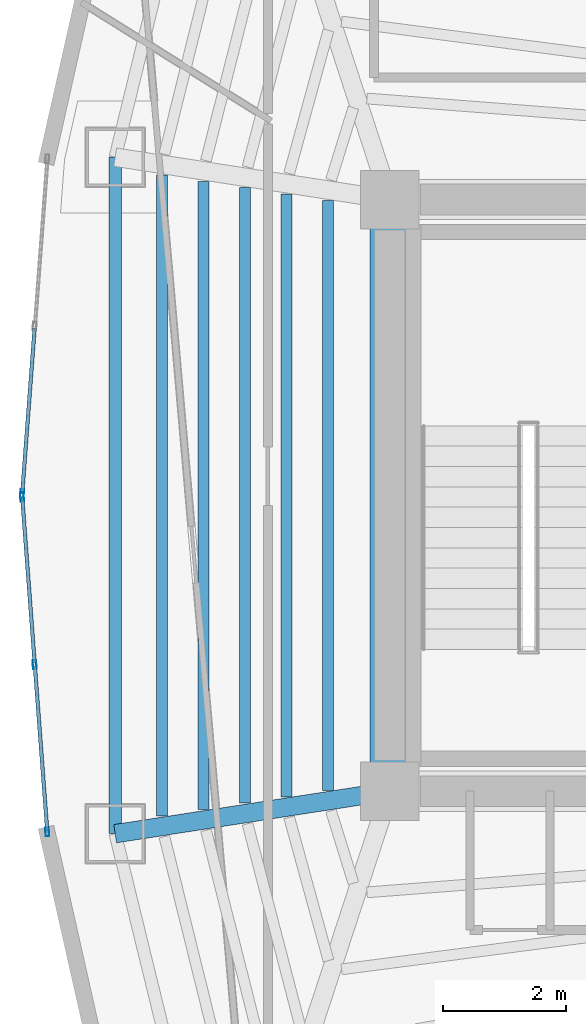
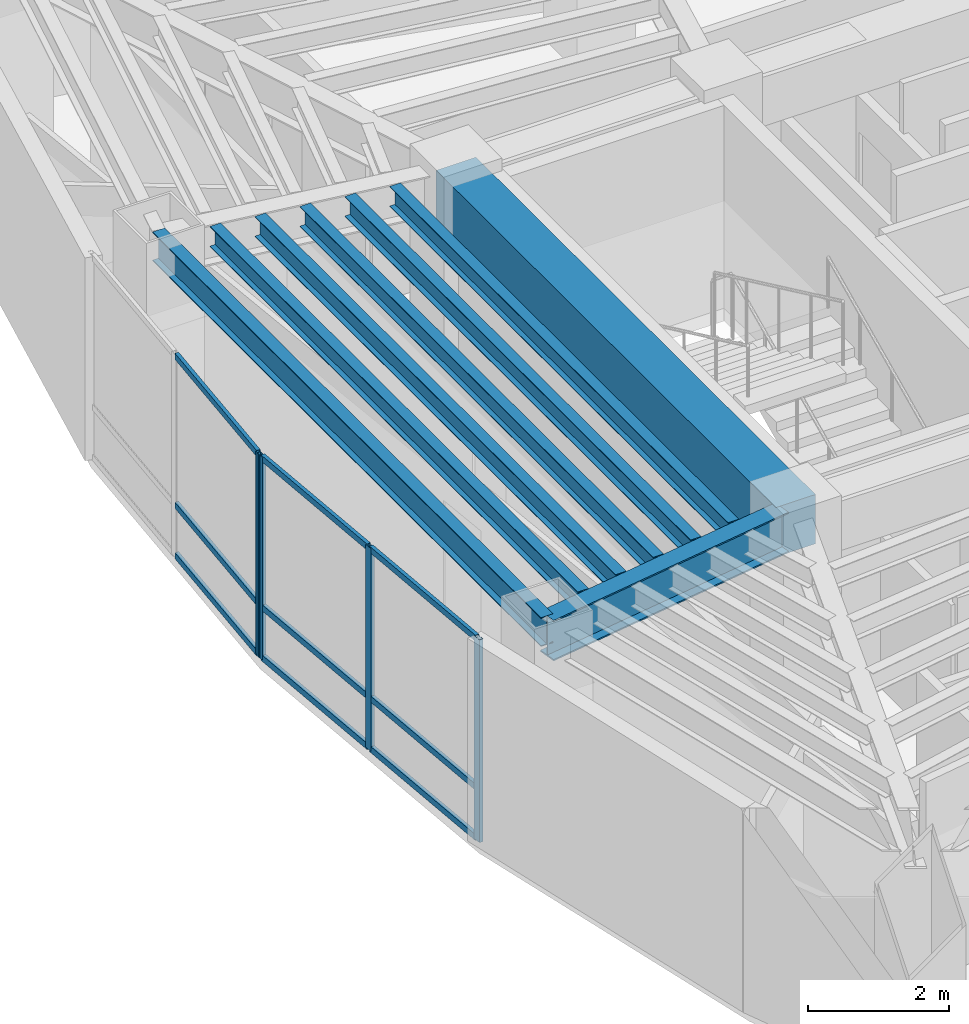
# One storey, part 3 of 16: 13 members, 8 beams, 2 elements without a shape of their own.
"""IFC4 building model written with IfcOpenShell, lengths in metres."""

from ifc_helpers import new_model, si_unit, direction, frame, origin, origin_2d, place, context, subcontext, project, spatial, rectangle, hollow_rectangle, i_section, extrude, material, layer, layer_set, material_profile, profile_set, type_object, element, aggregate, save


model = new_model("IFC4")

# Units and contexts
model_context = context("Model", 3, precision=1e-05, world=origin(), true_north=direction((0.0, 1.0)))
body_context = subcontext(model_context, "Body", "Model", "MODEL_VIEW")
ifc_project = project(units=[si_unit("LENGTHUNIT", "METRE"), si_unit("AREAUNIT", "SQUARE_METRE"), si_unit("VOLUMEUNIT", "CUBIC_METRE"), si_unit("PLANEANGLEUNIT", "RADIAN"), si_unit("MASSUNIT", "GRAM", prefix="KILO")], contexts=[model_context])

# Site, building, storey
site_placement = place(None, origin())
site = spatial("IfcSite", under=ifc_project, at=site_placement, CompositionType="ELEMENT")
building_placement = place(site_placement, origin())
building = spatial("IfcBuilding", under=site, at=building_placement, Name="Menara Vayukalpa", CompositionType="ELEMENT")
storey_placement = place(building_placement, frame((0.0, 0.0, 219.5400390625)))
storey = spatial("IfcBuildingStorey", under=building, at=storey_placement, Name="L55", CompositionType="ELEMENT", Elevation=219.5400390625)

# Beams
ifc_material_1 = material(Name="Concrete C60/75", Category="concrete")
ifc_material_profile_1 = material_profile(ifc_material_1, rectangle(XDim=0.64990234375, YDim=0.85009765625, at=origin_2d()), Name="RC 650x850")
ifc_profile_set_1 = profile_set([ifc_material_profile_1], Name="Concrete C60/75")
beam_type_1 = type_object("IfcBeamType", Name="BM-CB1", PredefinedType="BEAM", material=ifc_profile_set_1)
beam_1_placement = place(storey_placement, frame((17.800048828125, 17.199951171875, 3.074951171875), z_axis=(0.0, 1.0, 0.0), x_axis=(-1.0, 0.0, 0.0)))
element("IfcBeam", 1, at=beam_1_placement, inside=storey, type_object=beam_type_1, Name="L55 Core Tie Beam CBR7", PredefinedType="BEAM", context=body_context, shape_type="SweptSolid", body=[
    extrude(rectangle(XDim=0.64990234375, YDim=0.85009765625, at=origin_2d()), origin(), (0.0, 0.0, 1.0), 9.60009765625),
])
ifc_material_2 = material(Name="Steel S355", Category="steel")
ifc_material_profile_2 = material_profile(ifc_material_2, i_section(OverallWidth=0.300048828125, OverallDepth=0.699951171875, WebThickness=0.012939453125, FlangeThickness=0.02392578125, at=origin_2d()), Name="WF 700x300x13x24")
ifc_profile_set_2 = profile_set([ifc_material_profile_2], Name="Steel S355")
beam_type_2 = type_object("IfcBeamType", Name="BM-PG5", PredefinedType="BEAM", material=ifc_profile_set_2)
beam_2_placement = place(storey_placement, frame((17.552978515625, 17.161865234375, 3.14990234375), z_axis=(-0.988244781219, -0.152879862617, 0.0), x_axis=(0.152879862617, -0.988244781219, 0.0)))
element("IfcBeam", 2, at=beam_2_placement, inside=storey, type_object=beam_type_2, Name="L55 Primary Radial Girder RG06", PredefinedType="BEAM", context=body_context, shape_type="SweptSolid", body=[
    extrude(i_section(OverallWidth=0.300048828125, OverallDepth=0.699951171875, WebThickness=0.012939453125, FlangeThickness=0.02392578125, at=origin_2d()), origin(), (0.0, 0.0, 1.0), 4.259033203125),
])
ifc_material_3 = material(Name="Steel S355", Category="steel")
ifc_material_profile_3 = material_profile(ifc_material_3, i_section(OverallWidth=0.175048828125, OverallDepth=0.35009765625, WebThickness=0.007080078125, FlangeThickness=0.010986328125, at=origin_2d()), Name="WF 350x175x7x11")
ifc_profile_set_3 = profile_set([ifc_material_profile_3], Name="Steel S355")
beam_type_3 = type_object("IfcBeamType", Name="BM-SJ3", PredefinedType="JOIST", material=ifc_profile_set_3)
beam_3_placement = place(storey_placement, frame((16.79541015625, 26.785400390625, 3.324951171875), z_axis=(0.0, -1.0, 0.0), x_axis=(1.0, 0.0, 0.0)))
element("IfcBeam", 3, at=beam_3_placement, inside=storey, type_object=beam_type_3, Name="L55 Secondary Floor Joist SJ05-1", PredefinedType="JOIST", context=body_context, shape_type="SweptSolid", body=[
    extrude(i_section(OverallWidth=0.175048828125, OverallDepth=0.35009765625, WebThickness=0.007080078125, FlangeThickness=0.010986328125, at=origin_2d()), origin(), (0.0, 0.0, 1.0), 9.57080078125),
])
beam_4_placement = place(storey_placement, frame((16.121826171875, 26.889404296875, 3.324951171875), z_axis=(0.0, -1.0, 0.0), x_axis=(1.0, 0.0, 0.0)))
element("IfcBeam", 4, at=beam_4_placement, inside=storey, type_object=beam_type_3, Name="L55 Secondary Floor Joist SJ05-2", PredefinedType="JOIST", context=body_context, shape_type="SweptSolid", body=[
    extrude(i_section(OverallWidth=0.175048828125, OverallDepth=0.35009765625, WebThickness=0.007080078125, FlangeThickness=0.010986328125, at=origin_2d()), origin(), (0.0, 0.0, 1.0), 9.77880859375),
])
beam_5_placement = place(storey_placement, frame((15.448486328125, 26.99365234375, 3.324951171875), z_axis=(0.0, -1.0, 0.0), x_axis=(1.0, 0.0, 0.0)))
element("IfcBeam", 5, at=beam_5_placement, inside=storey, type_object=beam_type_3, Name="L55 Secondary Floor Joist SJ05-3", PredefinedType="JOIST", context=body_context, shape_type="SweptSolid", body=[
    extrude(i_section(OverallWidth=0.175048828125, OverallDepth=0.35009765625, WebThickness=0.007080078125, FlangeThickness=0.010986328125, at=origin_2d()), origin(), (0.0, 0.0, 1.0), 9.9873046875),
])
beam_6_placement = place(storey_placement, frame((14.77490234375, 27.097900390625, 3.324951171875), z_axis=(0.0, -1.0, 0.0), x_axis=(1.0, 0.0, 0.0)))
element("IfcBeam", 6, at=beam_6_placement, inside=storey, type_object=beam_type_3, Name="L55 Secondary Floor Joist SJ05-4", PredefinedType="JOIST", context=body_context, shape_type="SweptSolid", body=[
    extrude(i_section(OverallWidth=0.175048828125, OverallDepth=0.35009765625, WebThickness=0.007080078125, FlangeThickness=0.010986328125, at=origin_2d()), origin(), (0.0, 0.0, 1.0), 10.19580078125),
])
beam_7_placement = place(storey_placement, frame((14.1015625, 27.201904296875, 3.324951171875), z_axis=(0.0, -1.0, 0.0), x_axis=(1.0, 0.0, 0.0)))
element("IfcBeam", 7, at=beam_7_placement, inside=storey, type_object=beam_type_3, Name="L55 Secondary Floor Joist SJ05-5", PredefinedType="JOIST", context=body_context, shape_type="SweptSolid", body=[
    extrude(i_section(OverallWidth=0.175048828125, OverallDepth=0.35009765625, WebThickness=0.007080078125, FlangeThickness=0.010986328125, at=origin_2d()), origin(), (0.0, 0.0, 1.0), 10.40380859375),
])
ifc_material_4 = material(Name="Steel S355", Category="steel")
ifc_material_profile_4 = material_profile(ifc_material_4, i_section(OverallWidth=0.199951171875, OverallDepth=0.5, WebThickness=0.010009765625, FlangeThickness=0.01611328125, at=origin_2d()), Name="WF 500x200x10x16")
ifc_profile_set_4 = profile_set([ifc_material_profile_4], Name="Steel S355")
beam_type_4 = type_object("IfcBeamType", Name="BM-SP3", PredefinedType="SPANDREL", material=ifc_profile_set_4)
beam_8_placement = place(storey_placement, frame((13.343994140625, 27.4892578125, 3.25), z_axis=(0.0, -1.0, 0.0), x_axis=(1.0, 0.0, 0.0)))
element("IfcBeam", 8, at=beam_8_placement, inside=storey, type_object=beam_type_4, Name="L55 Perimeter Spandrel Beam SP05", PredefinedType="SPANDREL", context=body_context, shape_type="SweptSolid", body=[
    extrude(i_section(OverallWidth=0.199951171875, OverallDepth=0.5, WebThickness=0.010009765625, FlangeThickness=0.01611328125, at=origin_2d()), origin(), (0.0, 0.0, 1.0), 10.978515625),
])

# Curtain wall, member
ifc_material_5 = material(Name="Anodised Terracotta Aluminium Alloy 6063-T6", Category="masonry")
ifc_layer = layer(ifc_material_5, 0.139892578125)
ifc_layer_set = layer_set([ifc_layer], Name="Anodised Terracotta Aluminium Alloy 6063-T6")
curtain_wall_type = type_object("IfcCurtainWallType", Name="CW-CW5", PredefinedType="USERDEFINED", material=ifc_layer_set)
curtain_wall_1_placement = place(storey_placement, origin())
curtain_wall_1 = element("IfcCurtainWall", 9, at=curtain_wall_1_placement, inside=storey, type_object=curtain_wall_type, Name="L55 High Rise Tapered Curtain Wall CW5 10", ObjectType="UNITISED", PredefinedType="USERDEFINED")
ifc_material_6 = material(Name="Anodised Terracotta Aluminium Alloy 6063-T6", Category="masonry")
ifc_material_profile_5 = material_profile(ifc_material_6, hollow_rectangle(XDim=0.06005859375, YDim=0.139892578125, WallThickness=0.00341796875, at=origin_2d()), Name="ALU 60x140x3.5")
ifc_profile_set_5 = profile_set([ifc_material_profile_5], Name="Anodised Terracotta Aluminium Alloy 6063-T6")
member_type_1 = type_object("IfcMemberType", Name="CWM-CW5", PredefinedType="MULLION", material=ifc_profile_set_5)
member_1_placement = place(storey_placement, frame((11.83447265625, 22.030029296875, 0.0), z_axis=(0.0, 0.0, 1.0), x_axis=(0.9971991744, -0.074791754736, 0.0)))
member_1 = element("IfcMember", 10, at=member_1_placement, type_object=member_type_1, Name="CW5 mullion 3", PredefinedType="MULLION", context=body_context, shape_type="SweptSolid", body=[
    extrude(hollow_rectangle(XDim=0.06005859375, YDim=0.139892578125, WallThickness=0.00341796875, at=origin_2d()), origin(), (0.0, 0.0, 1.0), 3.5),
])

# Curtain wall, members
curtain_wall_2_placement = place(storey_placement, origin())
curtain_wall_2 = element("IfcCurtainWall", 11, at=curtain_wall_2_placement, inside=storey, type_object=curtain_wall_type, Name="L55 High Rise Tapered Curtain Wall CW5 11", ObjectType="UNITISED", PredefinedType="USERDEFINED")
member_2_placement = place(storey_placement, frame((11.83447265625, 21.969970703125, 0.0), z_axis=(0.0, 0.0, 1.0), x_axis=(0.9971991744, 0.074791754736, 0.0)))
member_2 = element("IfcMember", 12, at=member_2_placement, type_object=member_type_1, Name="CW5 mullion 1", PredefinedType="MULLION", context=body_context, shape_type="SweptSolid", body=[
    extrude(hollow_rectangle(XDim=0.06005859375, YDim=0.139892578125, WallThickness=0.00341796875, at=origin_2d()), origin(), (0.0, 0.0, 1.0), 3.5),
])
member_3_placement = place(storey_placement, frame((12.0380859375, 19.25537109375, 0.0), z_axis=(0.0, 0.0, 1.0), x_axis=(0.9971991744, 0.074791754736, 0.0)))
member_3 = element("IfcMember", 13, at=member_3_placement, type_object=member_type_1, Name="CW5 mullion 2", PredefinedType="MULLION", context=body_context, shape_type="SweptSolid", body=[
    extrude(hollow_rectangle(XDim=0.06005859375, YDim=0.139892578125, WallThickness=0.00341796875, at=origin_2d()), origin(), (0.0, 0.0, 1.0), 3.5),
])
member_4_placement = place(storey_placement, frame((12.24169921875, 16.540771484375, 0.0), z_axis=(0.0, 0.0, 1.0), x_axis=(0.9971991744, 0.074791754736, 0.0)))
member_4 = element("IfcMember", 14, at=member_4_placement, type_object=member_type_1, Name="CW5 mullion 3", PredefinedType="MULLION", context=body_context, shape_type="SweptSolid", body=[
    extrude(hollow_rectangle(XDim=0.06005859375, YDim=0.139892578125, WallThickness=0.00341796875, at=origin_2d()), origin(), (0.0, 0.0, 1.0), 3.5),
])

# Member
ifc_material_7 = material(Name="Anodised Terracotta Aluminium Alloy 6063-T6", Category="masonry")
ifc_material_profile_6 = material_profile(ifc_material_7, hollow_rectangle(XDim=0.06005859375, YDim=0.10498046875, WallThickness=0.0029296875, at=origin_2d()), Name="ALU 60x105x3")
ifc_profile_set_6 = profile_set([ifc_material_profile_6], Name="Anodised Terracotta Aluminium Alloy 6063-T6")
member_type_2 = type_object("IfcMemberType", Name="CWT-CW5", PredefinedType="USERDEFINED", material=ifc_profile_set_6)
member_5_placement = place(storey_placement, frame((12.035888671875, 24.714599609375, 0.030029296875), z_axis=(-0.074830984436, -0.997196231325, 0.0), x_axis=(0.997196231325, -0.074830984436, 0.0)))
member_5 = element("IfcMember", 15, at=member_5_placement, type_object=member_type_2, Name="CW5 transom 2.1", ObjectType="TRANSOM", PredefinedType="USERDEFINED", context=body_context, shape_type="SweptSolid", body=[
    extrude(hollow_rectangle(XDim=0.06005859375, YDim=0.10498046875, WallThickness=0.0029296875, at=origin_2d()), origin(), (0.0, 0.0, 1.0), 2.662353515625),
])

member_6_placement = place(storey_placement, frame((12.035888671875, 24.714599609375, 0.89990234375), z_axis=(-0.074830984436, -0.997196231325, 0.0), x_axis=(0.997196231325, -0.074830984436, 0.0)))
member_6 = element("IfcMember", 16, at=member_6_placement, type_object=member_type_2, Name="CW5 transom 2.2", ObjectType="TRANSOM", PredefinedType="USERDEFINED", context=body_context, shape_type="SweptSolid", body=[
    extrude(hollow_rectangle(XDim=0.06005859375, YDim=0.10498046875, WallThickness=0.0029296875, at=origin_2d()), origin(), (0.0, 0.0, 1.0), 2.662353515625),
])

member_7_placement = place(storey_placement, frame((12.035888671875, 24.714599609375, 3.469970703125), z_axis=(-0.074830984436, -0.997196231325, 0.0), x_axis=(0.997196231325, -0.074830984436, 0.0)))
member_7 = element("IfcMember", 17, at=member_7_placement, type_object=member_type_2, Name="CW5 transom 2.3", ObjectType="TRANSOM", PredefinedType="USERDEFINED", context=body_context, shape_type="SweptSolid", body=[
    extrude(hollow_rectangle(XDim=0.06005859375, YDim=0.10498046875, WallThickness=0.0029296875, at=origin_2d()), origin(), (0.0, 0.0, 1.0), 2.662353515625),
])

aggregate(curtain_wall_1, [member_1, member_5, member_6, member_7])

member_8_placement = place(storey_placement, frame((11.836669921875, 21.940185546875, 0.030029296875), z_axis=(0.074830984436, -0.997196231325, 0.0), x_axis=(0.997196231325, 0.074830984436, 0.0)))
member_8 = element("IfcMember", 18, at=member_8_placement, type_object=member_type_2, Name="CW5 transom 1.1", ObjectType="TRANSOM", PredefinedType="USERDEFINED", context=body_context, shape_type="SweptSolid", body=[
    extrude(hollow_rectangle(XDim=0.06005859375, YDim=0.10498046875, WallThickness=0.0029296875, at=origin_2d()), origin(), (0.0, 0.0, 1.0), 2.662353515625),
])

member_9_placement = place(storey_placement, frame((11.836669921875, 21.940185546875, 0.89990234375), z_axis=(0.074830984436, -0.997196231325, 0.0), x_axis=(0.997196231325, 0.074830984436, 0.0)))
member_9 = element("IfcMember", 19, at=member_9_placement, type_object=member_type_2, Name="CW5 transom 1.2", ObjectType="TRANSOM", PredefinedType="USERDEFINED", context=body_context, shape_type="SweptSolid", body=[
    extrude(hollow_rectangle(XDim=0.06005859375, YDim=0.10498046875, WallThickness=0.0029296875, at=origin_2d()), origin(), (0.0, 0.0, 1.0), 2.662353515625),
])

member_10_placement = place(storey_placement, frame((11.836669921875, 21.940185546875, 3.469970703125), z_axis=(0.074830984436, -0.997196231325, 0.0), x_axis=(0.997196231325, 0.074830984436, 0.0)))
member_10 = element("IfcMember", 20, at=member_10_placement, type_object=member_type_2, Name="CW5 transom 1.3", ObjectType="TRANSOM", PredefinedType="USERDEFINED", context=body_context, shape_type="SweptSolid", body=[
    extrude(hollow_rectangle(XDim=0.06005859375, YDim=0.10498046875, WallThickness=0.0029296875, at=origin_2d()), origin(), (0.0, 0.0, 1.0), 2.662353515625),
])

member_11_placement = place(storey_placement, frame((12.040283203125, 19.2255859375, 0.030029296875), z_axis=(0.074824141952, -0.997196744771, 0.0), x_axis=(0.997196744771, 0.074824141952, 0.0)))
member_11 = element("IfcMember", 21, at=member_11_placement, type_object=member_type_2, Name="CW5 transom 2.1", ObjectType="TRANSOM", PredefinedType="USERDEFINED", context=body_context, shape_type="SweptSolid", body=[
    extrude(hollow_rectangle(XDim=0.06005859375, YDim=0.10498046875, WallThickness=0.0029296875, at=origin_2d()), origin(), (0.0, 0.0, 1.0), 2.66259765625),
])

member_12_placement = place(storey_placement, frame((12.040283203125, 19.2255859375, 0.89990234375), z_axis=(0.074824141952, -0.997196744771, 0.0), x_axis=(0.997196744771, 0.074824141952, 0.0)))
member_12 = element("IfcMember", 22, at=member_12_placement, type_object=member_type_2, Name="CW5 transom 2.2", ObjectType="TRANSOM", PredefinedType="USERDEFINED", context=body_context, shape_type="SweptSolid", body=[
    extrude(hollow_rectangle(XDim=0.06005859375, YDim=0.10498046875, WallThickness=0.0029296875, at=origin_2d()), origin(), (0.0, 0.0, 1.0), 2.66259765625),
])

member_13_placement = place(storey_placement, frame((12.040283203125, 19.2255859375, 3.469970703125), z_axis=(0.074824141952, -0.997196744771, 0.0), x_axis=(0.997196744771, 0.074824141952, 0.0)))
member_13 = element("IfcMember", 23, at=member_13_placement, type_object=member_type_2, Name="CW5 transom 2.3", ObjectType="TRANSOM", PredefinedType="USERDEFINED", context=body_context, shape_type="SweptSolid", body=[
    extrude(hollow_rectangle(XDim=0.06005859375, YDim=0.10498046875, WallThickness=0.0029296875, at=origin_2d()), origin(), (0.0, 0.0, 1.0), 2.66259765625),
])

aggregate(curtain_wall_2, [member_2, member_3, member_4, member_8, member_9, member_10, member_11, member_12, member_13])

save(model, "model.ifc")
